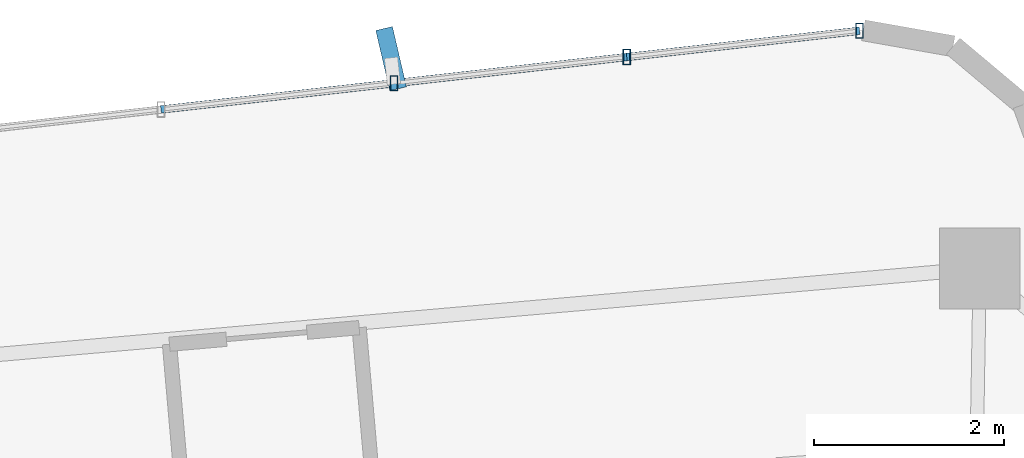
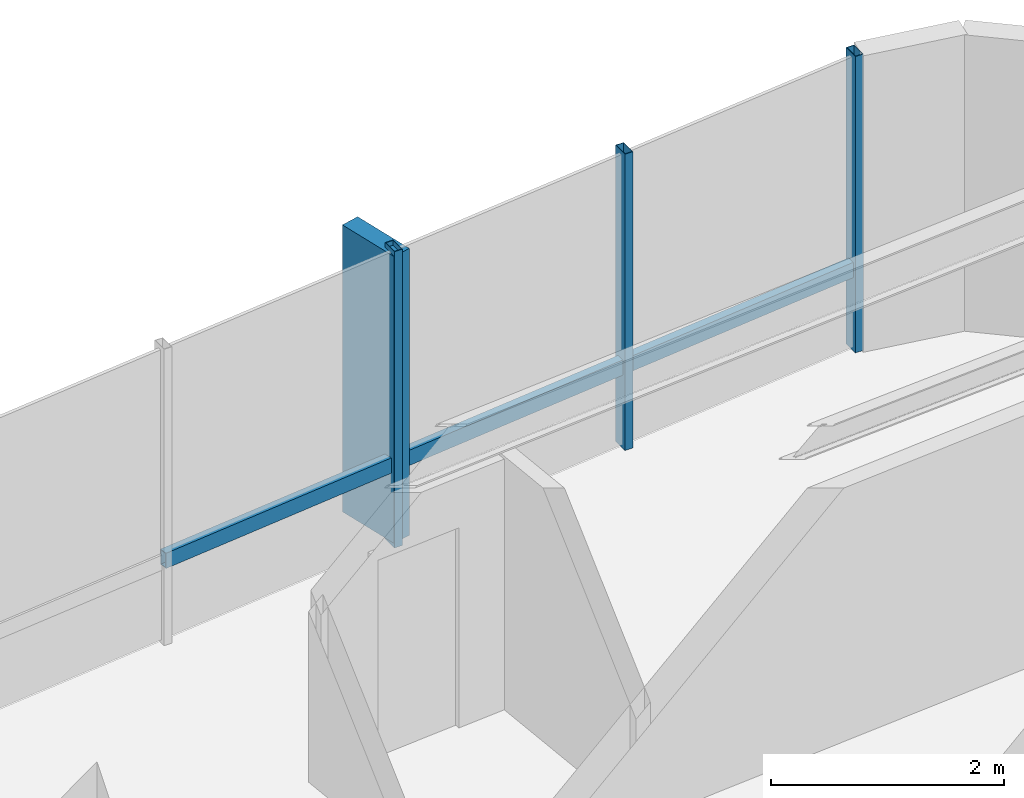
# One storey, part 18 of 24: 7 members, 1 element without a shape of its own.
"""IFC4 building model written with IfcOpenShell, lengths in metres."""

import ifcopenshell
import ifcopenshell.guid

model = None  # the IFC model being written
_history = None  # IfcOwnerHistory: only IFC2X3 demands one
_inside = {}  # id of a spatial element -> (the spatial element, [elements in it])
_under = {}  # id of a project, library or spatial element -> (it, [spatial elements below it])
_declared = {}  # id of a project -> (the project, [libraries it declares])
_typed = {}  # id of a type object -> (the type object, [elements of that type])
_made_of = {}  # id of a material, layer set ... -> (it, [elements and type objects made of it])


def new_model(schema):
    """Start an empty IFC model of exactly this schema.

    Asked for "IFC4X3", IfcOpenShell would pick the latest addendum, in which some entities
    have other attributes; the version numbers below select the first issue.
    IFC2X3 requires an IfcOwnerHistory on every rooted entity: one is made here for all.
    """
    global model, _history
    if schema == "IFC4X3":
        model = ifcopenshell.file(schema_version=(4, 3, 0, 0))
    else:
        model = ifcopenshell.file(schema=schema)
    _inside.clear()
    _under.clear()
    _declared.clear()
    _typed.clear()
    _made_of.clear()
    _history = None
    if model.schema == "IFC2X3":
        org = make("IfcOrganization", Name="unknown")
        user = make(
            "IfcPersonAndOrganization",
            ThePerson=make("IfcPerson", FamilyName="unknown"),
            TheOrganization=org,
        )
        app = make(
            "IfcApplication",
            ApplicationDeveloper=org,
            Version="unknown",
            ApplicationFullName="unknown",
            ApplicationIdentifier="unknown",
        )
        _history = make(
            "IfcOwnerHistory",
            OwningUser=user,
            OwningApplication=app,
            ChangeAction="ADDED",
            CreationDate=0,
        )
    return model


def make(cls, **values):
    """One entity of the class cls with the attributes given. An attribute that is None is left unset."""
    return model.create_entity(
        cls, **{name: value for name, value in values.items() if value is not None}
    )


def rooted(cls, **values):
    """An entity with a GlobalId (a new one), such as an element, a storey or a relation."""
    return make(cls, GlobalId=ifcopenshell.guid.new(), OwnerHistory=_history, **values)


def si_unit(unit_type, name, prefix=None):
    """IfcSIUnit, for example si_unit("LENGTHUNIT", "METRE", prefix="MILLI")."""
    return make("IfcSIUnit", UnitType=unit_type, Prefix=prefix, Name=name)


def assignment(units):
    """IfcUnitAssignment: the units of a project."""
    return None if units is None else make("IfcUnitAssignment", Units=units)


def point(xyz):
    """IfcCartesianPoint."""
    return None if xyz is None else make("IfcCartesianPoint", Coordinates=xyz)


def direction(xyz):
    """IfcDirection."""
    return None if xyz is None else make("IfcDirection", DirectionRatios=xyz)


def frame(location, z_axis=None, x_axis=None):
    """IfcAxis2Placement3D, a coordinate frame: its origin and axes. An axis left out is left unset."""
    return make(
        "IfcAxis2Placement3D",
        Location=point(location),
        Axis=direction(z_axis),
        RefDirection=direction(x_axis),
    )


def frame_2d(location, x_axis=None):
    """IfcAxis2Placement2D, a coordinate frame in the plane: its origin and x axis."""
    return make(
        "IfcAxis2Placement2D", Location=point(location), RefDirection=direction(x_axis)
    )


def origin():
    """The frame at (0, 0, 0) with its axes left unset."""
    return frame((0.0, 0.0, 0.0))


def origin_2d():
    """The frame at (0, 0) in the plane with its x axis left unset."""
    return frame_2d((0.0, 0.0))


def place(relative_to, where):
    """IfcLocalPlacement: puts the frame where relative to a parent placement (None: the world)."""
    return make(
        "IfcLocalPlacement", PlacementRelTo=relative_to, RelativePlacement=where
    )


def context(
    kind, dimensions, precision=None, world=None, true_north=None, identifier=None
):
    """IfcGeometricRepresentationContext, for example the 3D "Model" context."""
    return make(
        "IfcGeometricRepresentationContext",
        ContextIdentifier=identifier,
        ContextType=kind,
        CoordinateSpaceDimension=dimensions,
        Precision=precision,
        WorldCoordinateSystem=world,
        TrueNorth=true_north,
    )


def subcontext(parent, identifier, kind, view, scale=None):
    """IfcGeometricRepresentationSubContext, for example "Body" below "Model"."""
    return make(
        "IfcGeometricRepresentationSubContext",
        ContextIdentifier=identifier,
        ContextType=kind,
        ParentContext=parent,
        TargetScale=scale,
        TargetView=view,
    )


def project(units=None, contexts=None):
    """IfcProject with its units and contexts."""
    return rooted(
        "IfcProject",
        Name="project",
        RepresentationContexts=contexts,
        UnitsInContext=assignment(units),
    )


def spatial(cls, under=None, at=None, **own):
    """A site, building, storey or space (cls), placed at a placement, below another one or the project."""
    s = rooted(cls, ObjectPlacement=at, **own)
    if under is not None:
        _under.setdefault(under.id(), (under, []))[1].append(s)
    return s


def profile(cls, at=None, kind="AREA", **sizes):
    """A parametric profile (cls). Its sizes go by their IFC names, for example OverallWidth=200.0."""
    return make(cls, ProfileType=kind, Position=at, **sizes)


def rectangle(**sizes):
    """IfcRectangleProfileDef."""
    return profile("IfcRectangleProfileDef", **sizes)


def hollow_rectangle(**sizes):
    """IfcRectangleHollowProfileDef."""
    return profile("IfcRectangleHollowProfileDef", **sizes)


def extrude(swept, where, along, depth):
    """IfcExtrudedAreaSolid: the profile swept, set in the frame where, extruded along a direction by depth."""
    return make(
        "IfcExtrudedAreaSolid",
        SweptArea=swept,
        Position=where,
        ExtrudedDirection=direction(along),
        Depth=depth,
    )


def shape(context_of_items, identifier, shape_type, items):
    """IfcShapeRepresentation: the items that make up one representation, for example the "Body"."""
    return make(
        "IfcShapeRepresentation",
        ContextOfItems=context_of_items,
        RepresentationIdentifier=identifier,
        RepresentationType=shape_type,
        Items=items,
    )


def source(mapping_origin, context_of_items, identifier, shape_type, items):
    """IfcRepresentationMap: a shape defined once, which mapped items show again and again."""
    return make(
        "IfcRepresentationMap",
        MappingOrigin=mapping_origin,
        MappedRepresentation=shape(context_of_items, identifier, shape_type, items),
    )


def transform(
    local_origin,
    x_axis=None,
    y_axis=None,
    z_axis=None,
    scale=None,
    scale2=None,
    scale3=None,
    uniform=True,
):
    """IfcCartesianTransformationOperator3D, or its non-uniform kind. x_axis, y_axis, z_axis: its Axis1, 2, 3."""
    if uniform:
        return make(
            "IfcCartesianTransformationOperator3D",
            Axis1=direction(x_axis),
            Axis2=direction(y_axis),
            LocalOrigin=point(local_origin),
            Scale=scale,
            Axis3=direction(z_axis),
        )
    return make(
        "IfcCartesianTransformationOperator3DnonUniform",
        Axis1=direction(x_axis),
        Axis2=direction(y_axis),
        LocalOrigin=point(local_origin),
        Scale=scale,
        Axis3=direction(z_axis),
        Scale2=scale2,
        Scale3=scale3,
    )


def mapped(mapping_source, mapping_target):
    """IfcMappedItem: shows the shape of a source again, moved by a transform."""
    return make(
        "IfcMappedItem", MappingSource=mapping_source, MappingTarget=mapping_target
    )


def material(Name=None, Category=None):
    """IfcMaterial."""
    return make("IfcMaterial", Name=Name, Category=Category)


def material_profile(
    of_material, cross_section, Name=None, Category=None, Priority=None
):
    """IfcMaterialProfile: a cross section and its material."""
    return make(
        "IfcMaterialProfile",
        Name=Name,
        Material=of_material,
        Profile=cross_section,
        Priority=Priority,
        Category=Category,
    )


def profile_set(profiles, Name=None, composite=None):
    """IfcMaterialProfileSet."""
    return make(
        "IfcMaterialProfileSet",
        Name=Name,
        MaterialProfiles=profiles,
        CompositeProfile=composite,
    )


def made_of(thing, what):
    """Note that an element or type object is made of a material, layer set ...; save() writes the relation."""
    if what is not None:
        _made_of.setdefault(what.id(), (what, []))[1].append(thing)
    return thing


def type_object(cls, material=None, **own):
    """A type object (cls), such as IfcWallType, which elements share."""
    return made_of(rooted(cls, **own), material)


def element(
    cls,
    number,
    at=None,
    inside=None,
    cuts=None,
    type_object=None,
    material=None,
    context=None,
    identifier="Body",
    shape_type=None,
    held_by="IfcProductDefinitionShape",
    body=None,
    shapes=None,
    **own,
):
    """One element of the class cls, such as IfcWall. Its Tag is "e" and its number.

    at: its placement. inside: the storey or other place that contains it. cuts: it is an
    opening in that element (IfcRelVoidsElement). A single representation is given by context,
    identifier, shape_type and body (its items); several are given by shapes. held_by: the class
    of the entity that holds the representations. save() writes the other relations.
    """
    e = rooted(cls, Tag="e%d" % number, ObjectPlacement=at, **own)
    if body is not None:
        shapes = [shape(context, identifier, shape_type, body)]
    if shapes is not None:
        e.Representation = make(held_by, Representations=shapes)
    if inside is not None:
        _inside.setdefault(inside.id(), (inside, []))[1].append(e)
    if cuts is not None:
        rooted(
            "IfcRelVoidsElement", RelatingBuildingElement=cuts, RelatedOpeningElement=e
        )
    if type_object is not None:
        _typed.setdefault(type_object.id(), (type_object, []))[1].append(e)
    return made_of(e, material)


def aggregate(whole, parts):
    """IfcRelAggregates: a whole, such as a stair, and the parts it consists of."""
    return rooted("IfcRelAggregates", RelatingObject=whole, RelatedObjects=parts)


def save(model, path):
    """Write the relations noted so far, then the file.

    IfcRelAggregates (storeys below a building ...), IfcRelContainedInSpatialStructure (elements
    in a storey), IfcRelDefinesByType, IfcRelAssociatesMaterial and IfcRelDeclares: one each for
    every whole, place, type object, material and project.
    """
    for whole, parts in _under.values():
        aggregate(whole, parts)
    for where, things in _inside.values():
        rooted(
            "IfcRelContainedInSpatialStructure",
            RelatedElements=things,
            RelatingStructure=where,
        )
    for kind, things in _typed.values():
        rooted("IfcRelDefinesByType", RelatedObjects=things, RelatingType=kind)
    for what, things in _made_of.values():
        rooted("IfcRelAssociatesMaterial", RelatedObjects=things, RelatingMaterial=what)
    for by, libraries in _declared.values():
        rooted("IfcRelDeclares", RelatingContext=by, RelatedDefinitions=libraries)
    model.write(path)


model = new_model("IFC4")

# Units and contexts
model_context = context("Model", 3, precision=1e-05, world=origin(), true_north=direction((0.0, 1.0)))
body_context = subcontext(model_context, "Body", "Model", "MODEL_VIEW")
ifc_project = project(units=[si_unit("LENGTHUNIT", "METRE"), si_unit("AREAUNIT", "SQUARE_METRE"), si_unit("VOLUMEUNIT", "CUBIC_METRE"), si_unit("PLANEANGLEUNIT", "RADIAN"), si_unit("MASSUNIT", "GRAM", prefix="KILO")], contexts=[model_context])

# Site, building, storey
site_placement = place(None, origin())
site = spatial("IfcSite", under=ifc_project, at=site_placement, CompositionType="ELEMENT")
building_placement = place(site_placement, origin())
building = spatial("IfcBuilding", under=site, at=building_placement, Name="Sahyath Konkavel Grand Hotel", CompositionType="ELEMENT")
storey_placement = place(building_placement, frame((0.0, 0.0, 191.949951171875)))
storey = spatial("IfcBuildingStorey", under=building, at=storey_placement, Name="L53", CompositionType="ELEMENT", Elevation=191.949951171875)

# Curtain wall, members
ifc_material_1 = material(Name="Anodised Bronze Aluminium & Low-E Glazing", Category="aluminium")
curtain_wall_type = type_object("IfcCurtainWallType", Name="CW-ZONE3", PredefinedType="NOTDEFINED", material=ifc_material_1)
curtain_wall_placement = place(storey_placement, origin())
curtain_wall = element("IfcCurtainWall", 1, at=curtain_wall_placement, inside=storey, type_object=curtain_wall_type, Name="L53 Unitised Curtain Wall F12", PredefinedType="NOTDEFINED")
ifc_material_2 = material(Name="Warm Buff Sandstone Cladding on Concrete C50/60", Category="masonry")
ifc_material_profile_1 = material_profile(ifc_material_2, rectangle(XDim=0.179931640625, YDim=0.64990234375, at=origin_2d()), Name="FIN 180x650")
ifc_profile_set_1 = profile_set([ifc_material_profile_1], Name="Warm Buff Sandstone Cladding on Concrete C50/60")
member_type_1 = type_object("IfcMemberType", Name="FIN-SANDSTONE-650", PredefinedType="MULLION", material=ifc_profile_set_1)
shared_shape_1 = source(origin(), body_context, "Body", "SweptSolid", [
    extrude(rectangle(XDim=0.179931640625, YDim=0.64990234375, at=origin_2d()), origin(), (0.0, 0.0, 1.0), 3.010009765625),
])
member_1_placement = place(storey_placement, frame((-2.248291015625, 20.3173828125, 0.050048828125), z_axis=(0.0, 0.0, 1.0), x_axis=(0.973896791711, 0.226991275371, 0.0)))
member_1 = element("IfcMember", 2, at=member_1_placement, type_object=member_type_1, Name="L53 Sandstone Vertical Solar Fin FIN F12-2", PredefinedType="MULLION", context=body_context, shape_type="MappedRepresentation", body=[
    mapped(shared_shape_1, transform((0.0, 0.0, 0.0), scale=1.0)),
])
ifc_material_3 = material(Name="Anodised Bronze Aluminium", Category="aluminium")
ifc_material_profile_2 = material_profile(ifc_material_3, hollow_rectangle(XDim=0.080078125, YDim=0.159912109375, WallThickness=0.006103515625, at=origin_2d()), Name="RHS 160x80x6")
ifc_profile_set_2 = profile_set([ifc_material_profile_2], Name="Anodised Bronze Aluminium")
member_type_2 = type_object("IfcMemberType", Name="CW-MUL-160", PredefinedType="MULLION", material=ifc_profile_set_2)
shared_shape_2 = source(origin(), body_context, "Body", "SweptSolid", [
    extrude(hollow_rectangle(XDim=0.080078125, YDim=0.159912109375, WallThickness=0.006103515625, at=origin_2d()), origin(), (0.0, 0.0, 1.0), 3.110107421875),
])
member_2_placement = place(storey_placement, frame((2.673828125, 20.610595703125, 0.0), z_axis=(0.0, 0.0, 1.0), x_axis=(1.0, 0.0, 0.0)))
member_2 = element("IfcMember", 3, at=member_2_placement, type_object=member_type_2, Name="L53 Curtain Wall Mullion F12-0", PredefinedType="MULLION", context=body_context, shape_type="MappedRepresentation", body=[
    mapped(shared_shape_2, transform((0.0, 0.0, 0.0), scale=1.0)),
])
member_3_placement = place(storey_placement, frame((0.227294921875, 20.334716796875, 0.0), z_axis=(0.0, 0.0, 1.0), x_axis=(1.0, 0.0, 0.0)))
member_3 = element("IfcMember", 4, at=member_3_placement, type_object=member_type_2, Name="L53 Curtain Wall Mullion F12-1", PredefinedType="MULLION", context=body_context, shape_type="MappedRepresentation", body=[
    mapped(shared_shape_2, transform((0.0, 0.0, 0.0), scale=1.0)),
])
member_4_placement = place(storey_placement, frame((-2.21923828125, 20.05908203125, 0.0), z_axis=(0.0, 0.0, 1.0), x_axis=(1.0, 0.0, 0.0)))
member_4 = element("IfcMember", 5, at=member_4_placement, type_object=member_type_2, Name="L53 Curtain Wall Mullion F12-2", PredefinedType="MULLION", context=body_context, shape_type="MappedRepresentation", body=[
    mapped(shared_shape_2, transform((0.0, 0.0, 0.0), scale=1.0)),
])
ifc_material_profile_3 = material_profile(ifc_material_3, hollow_rectangle(XDim=0.080078125, YDim=0.159912109375, WallThickness=0.006103515625, at=origin_2d()), Name="RHS 160x80x6")
ifc_profile_set_3 = profile_set([ifc_material_profile_3], Name="Anodised Bronze Aluminium")
member_type_3 = type_object("IfcMemberType", Name="CW-TRN-160", PredefinedType="USERDEFINED", material=ifc_profile_set_3)
shared_shape_3 = source(origin(), body_context, "Body", "SweptSolid", [
    extrude(hollow_rectangle(XDim=0.080078125, YDim=0.159912109375, WallThickness=0.006103515625, at=origin_2d()), origin(), (0.0, 0.0, 1.0), 2.462158203125),
])
member_5_placement = place(storey_placement, frame((2.673828125, 20.610595703125, 0.85009765625), z_axis=(-0.99370222711, -0.112053040279, 0.0), x_axis=(0.112053040279, -0.99370222711, 0.0)))
member_5 = element("IfcMember", 6, at=member_5_placement, type_object=member_type_3, Name="L53 Curtain Wall Transom F12-0-spandrel", ObjectType="TRANSOM", PredefinedType="USERDEFINED", context=body_context, shape_type="MappedRepresentation", body=[
    mapped(shared_shape_3, transform((0.0, 0.0, 0.0), scale=1.0)),
])
member_6_placement = place(storey_placement, frame((-2.21923828125, 20.05908203125, 0.85009765625), z_axis=(-0.99370222711, -0.112053040279, 0.0), x_axis=(0.112053040279, -0.99370222711, 0.0)))
member_6 = element("IfcMember", 7, at=member_6_placement, type_object=member_type_3, Name="L53 Curtain Wall Transom F12-2-spandrel", ObjectType="TRANSOM", PredefinedType="USERDEFINED", context=body_context, shape_type="MappedRepresentation", body=[
    mapped(shared_shape_3, transform((0.0, 0.0, 0.0), scale=1.0)),
])
shared_shape_4 = source(origin(), body_context, "Body", "SweptSolid", [
    extrude(hollow_rectangle(XDim=0.080078125, YDim=0.159912109375, WallThickness=0.006103515625, at=origin_2d()), origin(), (0.0, 0.0, 1.0), 2.4619140625),
])
member_7_placement = place(storey_placement, frame((0.227294921875, 20.334716796875, 0.85009765625), z_axis=(-0.993713263833, -0.111955121731, 0.0), x_axis=(0.111955121731, -0.993713263833, 0.0)))
member_7 = element("IfcMember", 8, at=member_7_placement, type_object=member_type_3, Name="L53 Curtain Wall Transom F12-1-spandrel", ObjectType="TRANSOM", PredefinedType="USERDEFINED", context=body_context, shape_type="MappedRepresentation", body=[
    mapped(shared_shape_4, transform((0.0, 0.0, 0.0), scale=1.0)),
])
aggregate(curtain_wall, [member_2, member_3, member_4, member_1, member_5, member_7, member_6])

save(model, "model.ifc")
